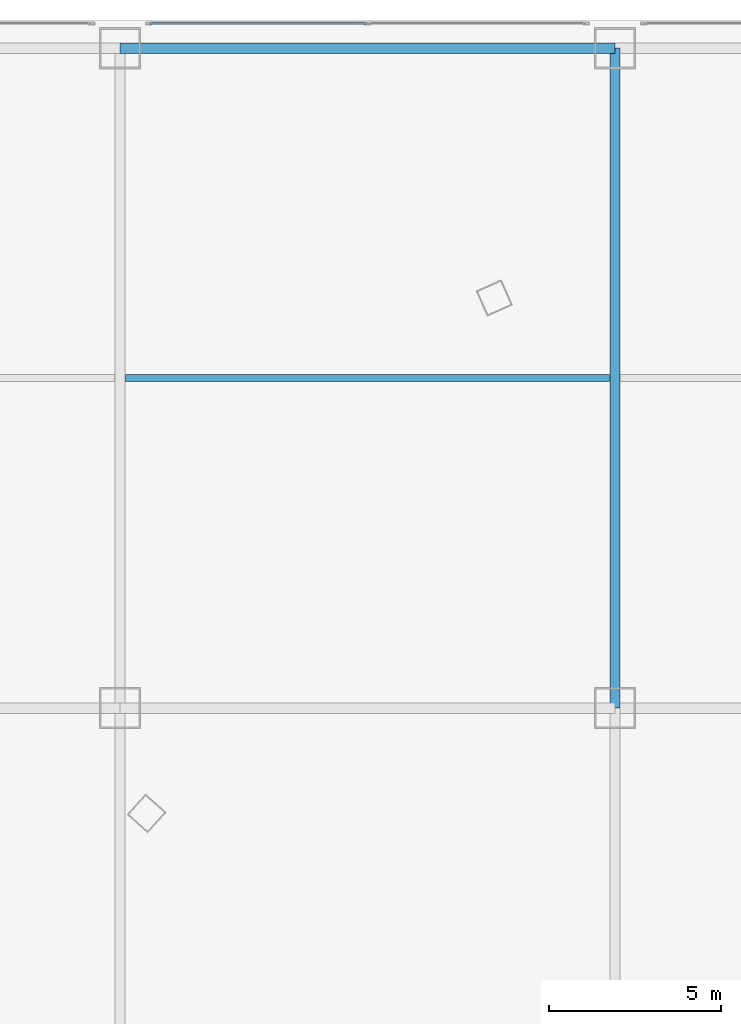
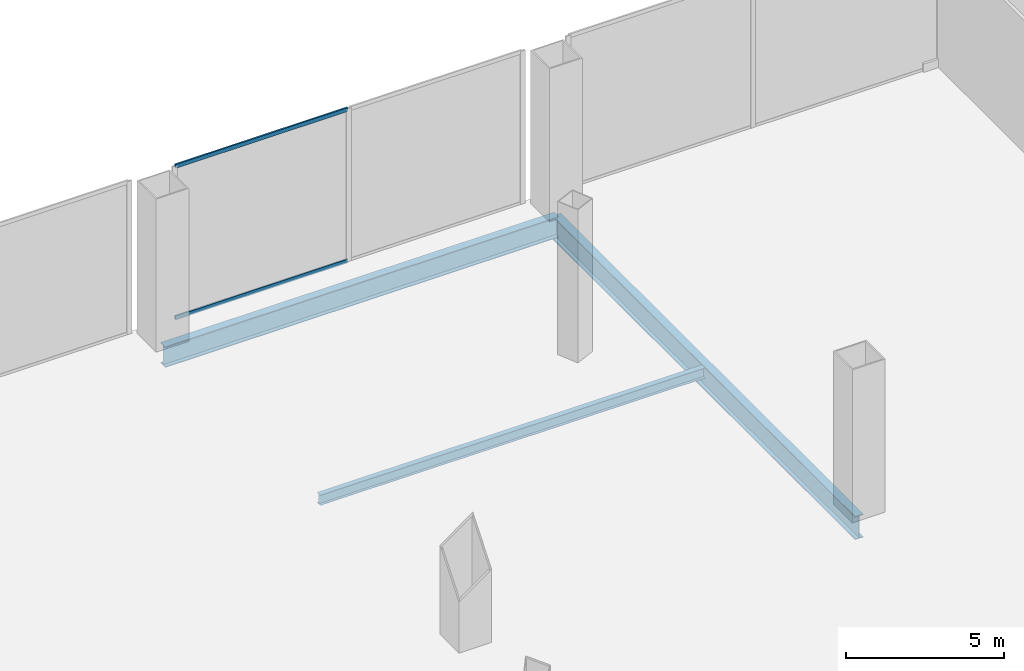
# One storey, part 19 of 41: 3 beams, 2 members, 1 element without a shape of its own.
"""IFC4 building model written with IfcOpenShell, lengths in metres."""

from ifc_helpers import new_model, si_unit, direction, frame, origin, origin_2d, place, context, subcontext, project, spatial, hollow_rectangle, i_section, extrude, source, transform, mapped, material, layer, layer_set, material_profile, profile_set, type_object, element, aggregate, save


model = new_model("IFC4")

# Units and contexts
model_context = context("Model", 3, precision=1e-05, world=origin(), true_north=direction((0.0, 1.0)))
body_context = subcontext(model_context, "Body", "Model", "MODEL_VIEW")
ifc_project = project(units=[si_unit("LENGTHUNIT", "METRE"), si_unit("AREAUNIT", "SQUARE_METRE"), si_unit("VOLUMEUNIT", "CUBIC_METRE"), si_unit("PLANEANGLEUNIT", "RADIAN"), si_unit("MASSUNIT", "GRAM", prefix="KILO"), si_unit("THERMODYNAMICTEMPERATUREUNIT", "KELVIN"), si_unit("POWERUNIT", "WATT")], contexts=[model_context])

# Site, building, storey
site_placement = place(None, origin())
site = spatial("IfcSite", under=ifc_project, at=site_placement, CompositionType="ELEMENT")
building_placement = place(site_placement, origin())
building = spatial("IfcBuilding", under=site, at=building_placement, Name="Yunzhuo Pagoda Commons", CompositionType="ELEMENT")
storey_placement = place(building_placement, frame((0.0, 0.0, 19.199951171875)))
storey = spatial("IfcBuildingStorey", under=building, at=storey_placement, Name="L05", CompositionType="ELEMENT", Elevation=19.199951171875)

# Beams
ifc_material_1 = material(Name="Structural steel Q355B", Category="steel")
ifc_material_profile_1 = material_profile(ifc_material_1, i_section(OverallWidth=0.300048828125, OverallDepth=0.800048828125, WebThickness=0.013916015625, FlangeThickness=0.02587890625, at=origin_2d()), Name="Structural steel Q355B")
ifc_profile_set_1 = profile_set([ifc_material_profile_1], Name="Structural steel Q355B")
beam_type_1 = type_object("IfcBeamType", Name="B-PD2 Beam HN 800x300x14x26", PredefinedType="BEAM", material=ifc_profile_set_1)
shared_shape_1 = source(origin(), body_context, "Body", "SweptSolid", [
    extrude(i_section(OverallWidth=0.300048828125, OverallDepth=0.800048828125, WebThickness=0.013916015625, FlangeThickness=0.02587890625, at=origin_2d()), origin(), (0.0, 0.0, 1.0), 14.400146484375),
])
beam_1_placement = place(storey_placement, frame((19.199951171875, 81.199951171875, -0.6796875), z_axis=(1.0, 0.0, 0.0), x_axis=(0.0, 1.0, 0.0)))
element("IfcBeam", 1, at=beam_1_placement, inside=storey, type_object=beam_type_1, Name="L05 podium girder EW 5.2", PredefinedType="BEAM", context=body_context, shape_type="MappedRepresentation", body=[
    mapped(shared_shape_1, transform((0.0, 0.0, 0.0), scale=1.0)),
])
ifc_material_profile_2 = material_profile(ifc_material_1, i_section(OverallWidth=0.199951171875, OverallDepth=0.39990234375, WebThickness=0.008056640625, FlangeThickness=0.012939453125, at=origin_2d()), Name="Structural steel Q355B")
ifc_profile_set_2 = profile_set([ifc_material_profile_2], Name="Structural steel Q355B")
beam_type_2 = type_object("IfcBeamType", Name="B-JS1 Joist HN 400x200x8x13", PredefinedType="JOIST", material=ifc_profile_set_2)
shared_shape_2 = source(origin(), body_context, "Body", "SweptSolid", [
    extrude(i_section(OverallWidth=0.199951171875, OverallDepth=0.39990234375, WebThickness=0.008056640625, FlangeThickness=0.012939453125, at=origin_2d()), origin(), (0.0, 0.0, 1.0), 14.08984375),
])
beam_2_placement = place(storey_placement, frame((19.355224609375, 71.60009765625, -0.47998046875), z_axis=(1.0, 0.0, 0.0), x_axis=(0.0, 1.0, 0.0)))
element("IfcBeam", 2, at=beam_2_placement, inside=storey, type_object=beam_type_2, Name="L05 podium composite joist 2.4", PredefinedType="JOIST", context=body_context, shape_type="MappedRepresentation", body=[
    mapped(shared_shape_2, transform((0.0, 0.0, 0.0), scale=1.0)),
])
ifc_material_profile_3 = material_profile(ifc_material_1, i_section(OverallWidth=0.300048828125, OverallDepth=0.89990234375, WebThickness=0.01611328125, FlangeThickness=0.028076171875, at=origin_2d()), Name="Structural steel Q355B")
ifc_profile_set_3 = profile_set([ifc_material_profile_3], Name="Structural steel Q355B")
beam_type_3 = type_object("IfcBeamType", Name="B-PD1 Beam HN 900x300x16x28", PredefinedType="BEAM", material=ifc_profile_set_3)
shared_shape_3 = source(origin(), body_context, "Body", "SweptSolid", [
    extrude(i_section(OverallWidth=0.300048828125, OverallDepth=0.89990234375, WebThickness=0.01611328125, FlangeThickness=0.028076171875, at=origin_2d()), origin(), (0.0, 0.0, 1.0), 19.199951171875),
])
beam_3_placement = place(storey_placement, frame((33.60009765625, 62.0, -0.72998046875), z_axis=(0.0, 1.0, 0.0), x_axis=(-1.0, 0.0, 0.0)))
element("IfcBeam", 3, at=beam_3_placement, inside=storey, type_object=beam_type_3, Name="L05 podium girder NS 3.4", PredefinedType="BEAM", context=body_context, shape_type="MappedRepresentation", body=[
    mapped(shared_shape_3, transform((0.0, 0.0, 0.0), scale=1.0)),
])

# Curtain wall, members
ifc_material_2 = material(Name="Anodized aluminium 6063-T6", Category="aluminium")
ifc_layer = layer(ifc_material_2, 0.179931640625)
ifc_layer_set = layer_set([ifc_layer], Name="Anodized aluminium 6063-T6")
curtain_wall_type = type_object("IfcCurtainWallType", Name="CW-POD Waterfront Podium Curtain Wall", PredefinedType="NOTDEFINED", material=ifc_layer_set)
curtain_wall_placement = place(storey_placement, origin())
curtain_wall = element("IfcCurtainWall", 4, at=curtain_wall_placement, inside=storey, type_object=curtain_wall_type, Name="L05 curtain wall CW-L05-N2", PredefinedType="NOTDEFINED")
ifc_material_profile_4 = material_profile(ifc_material_2, hollow_rectangle(XDim=0.06005859375, YDim=0.14990234375, WallThickness=0.00390625, at=origin_2d()), Name="Anodized aluminium 6063-T6")
ifc_profile_set_4 = profile_set([ifc_material_profile_4], Name="Anodized aluminium 6063-T6")
member_type = type_object("IfcMemberType", Name="CW-POD-T Transom RHS 150x60x4", PredefinedType="USERDEFINED", material=ifc_profile_set_4)
shared_shape_4 = source(origin(), body_context, "Body", "SweptSolid", [
    extrude(hollow_rectangle(XDim=0.06005859375, YDim=0.14990234375, WallThickness=0.00390625, at=origin_2d()), origin(), (0.0, 0.0, 1.0), 6.302490234375),
])
member_1_placement = place(storey_placement, frame((20.06494140625, 81.919921875, 0.0302734375), z_axis=(1.0, 0.0, 0.0), x_axis=(0.0, 1.0, 0.0)))
member_1 = element("IfcMember", 5, at=member_1_placement, type_object=member_type, Name="CW transom 1.1", ObjectType="TRANSOM", PredefinedType="USERDEFINED", context=body_context, shape_type="MappedRepresentation", body=[
    mapped(shared_shape_4, transform((0.0, 0.0, 0.0), scale=1.0)),
])
member_2_placement = place(storey_placement, frame((20.06494140625, 81.919921875, 5.89013671875), z_axis=(1.0, 0.0, 0.0), x_axis=(0.0, 1.0, 0.0)))
member_2 = element("IfcMember", 6, at=member_2_placement, type_object=member_type, Name="CW transom 1.2", ObjectType="TRANSOM", PredefinedType="USERDEFINED", context=body_context, shape_type="MappedRepresentation", body=[
    mapped(shared_shape_4, transform((0.0, 0.0, 0.0), scale=1.0)),
])
aggregate(curtain_wall, [member_1, member_2])

save(model, "model.ifc")
